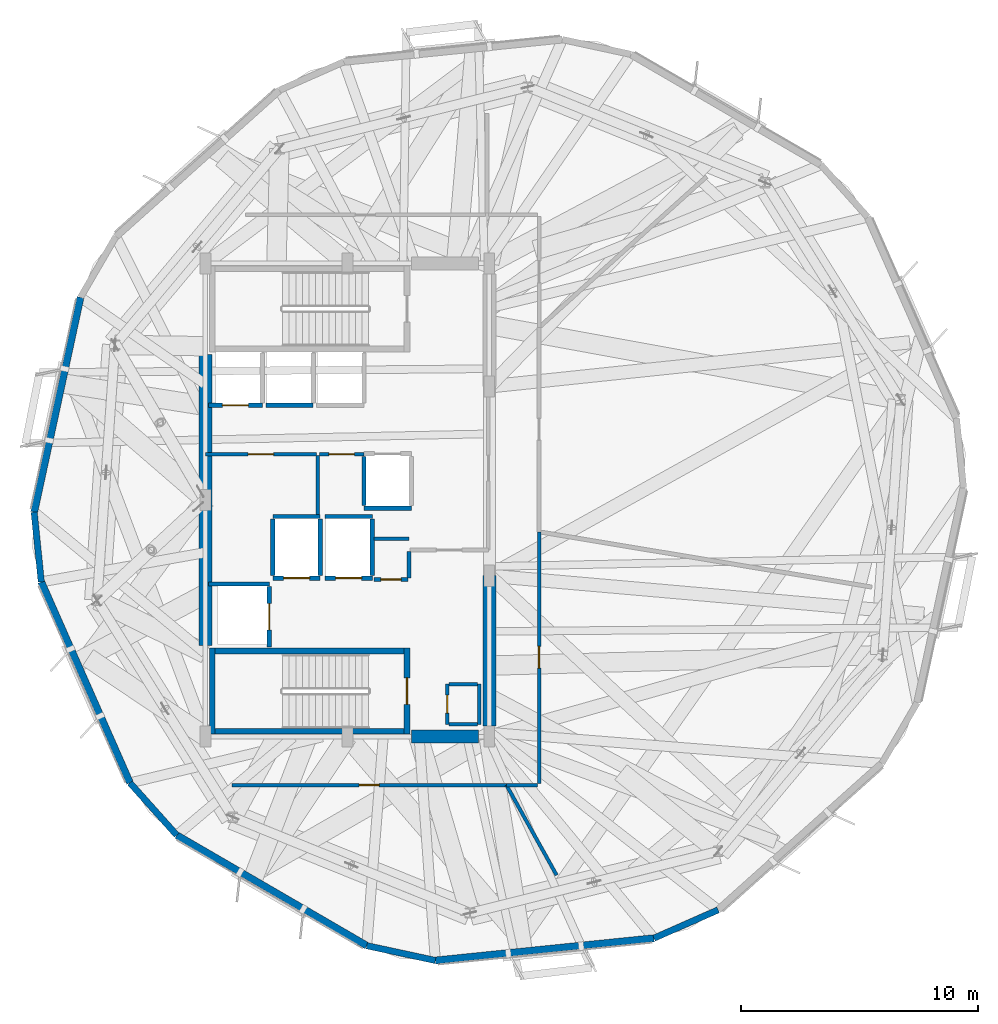
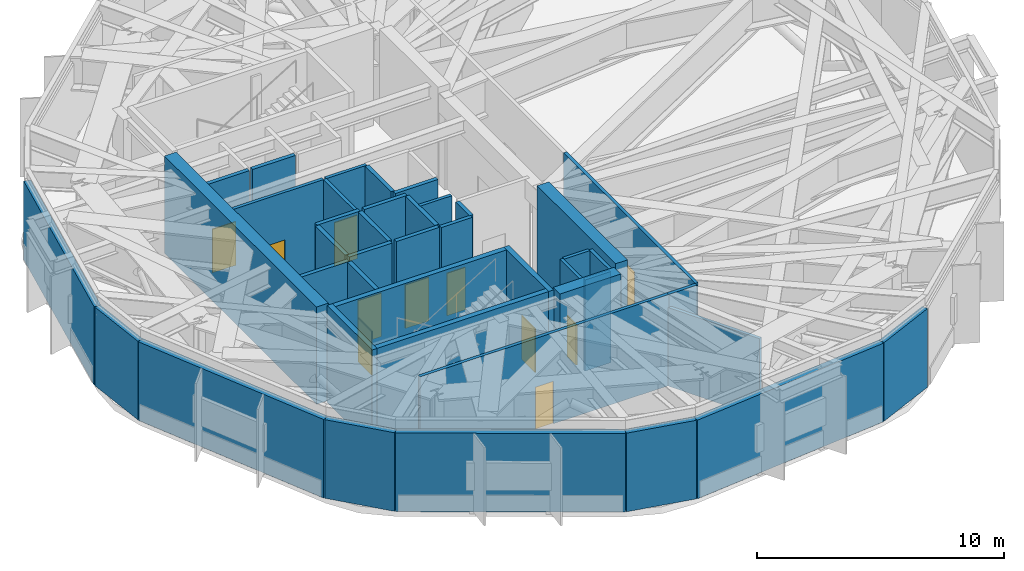
# One storey, part 8 of 14: 42 walls, 11 doors, 11 openings.
"""IFC4 building model written with IfcOpenShell, lengths in metres."""

from ifc_helpers import new_model, si_unit, direction, frame, frame_2d, origin, place, context, subcontext, project, spatial, rectangle, extrude, material, layer, layer_set, type_object, element, fill, save


model = new_model("IFC4")

# Units and contexts
model_context = context("Model", 3, precision=1e-05, world=origin(), true_north=direction((0.0, 1.0)))
body_context = subcontext(model_context, "Body", "Model", "MODEL_VIEW")
ifc_project = project(units=[si_unit("LENGTHUNIT", "METRE"), si_unit("AREAUNIT", "SQUARE_METRE"), si_unit("VOLUMEUNIT", "CUBIC_METRE"), si_unit("PLANEANGLEUNIT", "RADIAN"), si_unit("MASSUNIT", "GRAM", prefix="KILO")], contexts=[model_context])

# Site, building, storey
site_placement = place(None, origin())
site = spatial("IfcSite", under=ifc_project, at=site_placement, CompositionType="ELEMENT")
building_placement = place(site_placement, origin())
building = spatial("IfcBuilding", under=site, at=building_placement, Name="Soratama Intermodal Tower", CompositionType="ELEMENT")
storey_placement = place(building_placement, frame((0.0, 0.0, 185.800048828125)))
storey = spatial("IfcBuildingStorey", under=building, at=storey_placement, Name="L46", CompositionType="ELEMENT", Elevation=185.800048828125)

# Walls
ifc_material_1 = material(Name="Concrete f'c 42 MPa", Category="concrete")
ifc_layer_1 = layer(ifc_material_1, 0.27001953125)
ifc_layer_set_1 = layer_set([ifc_layer_1], Name="Concrete f'c 42 MPa")
wall_type_1 = type_object("IfcWallType", Name="EW-CRN-270", PredefinedType="SOLIDWALL", material=ifc_layer_set_1)
wall_1_placement = place(storey_placement, frame((25.3583984375, 24.489013671875, 0.0), z_axis=(0.0, 0.0, 1.0), x_axis=(0.101385701308, -0.994847194081, 0.0)))
element("IfcWall", 1, at=wall_1_placement, inside=storey, type_object=wall_type_1, Name="L46 Corner Closure Wall 04", PredefinedType="SOLIDWALL", context=body_context, shape_type="SweptSolid", body=[
    extrude(rectangle(XDim=2.966796875, YDim=0.27001953125, at=frame_2d((1.4833984375, 0.0))), origin(), (0.0, 0.0, 1.0), 3.87890625),
])
wall_2_placement = place(storey_placement, frame((29.41015625, 13.04150390625, 0.0), z_axis=(0.0, 0.0, 1.0), x_axis=(0.666802076596, -0.745234856033, 0.0)))
element("IfcWall", 2, at=wall_2_placement, inside=storey, type_object=wall_type_1, Name="L46 Corner Closure Wall 05", PredefinedType="SOLIDWALL", context=body_context, shape_type="SweptSolid", body=[
    extrude(rectangle(XDim=2.966552734375, YDim=0.27001953125, at=frame_2d((1.4833984375, 0.0))), origin(), (0.0, 0.0, 1.0), 3.87890625),
])
wall_3_placement = place(storey_placement, frame((39.41650390625, 6.161865234375, 0.0), z_axis=(0.0, 0.0, 1.0), x_axis=(0.977485778923, -0.211001308062, 0.0)))
element("IfcWall", 3, at=wall_3_placement, inside=storey, type_object=wall_type_1, Name="L46 Corner Closure Wall 06", PredefinedType="SOLIDWALL", context=body_context, shape_type="SweptSolid", body=[
    extrude(rectangle(XDim=2.966796875, YDim=0.27001953125, at=frame_2d((1.4833984375, 0.0))), origin(), (0.0, 0.0, 1.0), 3.87890625),
])
wall_4_placement = place(storey_placement, frame((51.5556640625, 6.477783203125, 0.0), z_axis=(0.0, 0.0, 1.0), x_axis=(0.914830177707, 0.403838762325, 0.0)))
element("IfcWall", 4, at=wall_4_placement, inside=storey, type_object=wall_type_1, Name="L46 Corner Closure Wall 07", PredefinedType="SOLIDWALL", context=body_context, shape_type="SweptSolid", body=[
    extrude(rectangle(XDim=2.966552734375, YDim=0.27001953125, at=frame_2d((1.4833984375, 0.0))), origin(), (0.0, 0.0, 1.0), 3.87890625),
])
ifc_material_2 = material(Name="Concrete f'c 42 MPa", Category="concrete")
ifc_layer_2 = layer(ifc_material_2, 0.300048828125)
ifc_layer_set_2 = layer_set([ifc_layer_2], Name="Concrete f'c 42 MPa")
wall_type_2 = type_object("IfcWallType", Name="EW-STONE-300", PredefinedType="SOLIDWALL", material=ifc_layer_set_2)
for number, where, z_axis, x_axis, name in (
    (5, (27.318115234375, 33.567138671875, 0.0), (0.0, 0.0, 1.0), (-0.211011733092, -0.977483528504, 0.0), "L46 Plant Wall F04"),
    (6, (25.6591796875, 21.53759765625, 0.0), (0.0, 0.0, 1.0), (0.403883538706, -0.914810410502, 0.0), "L46 Plant Wall F05"),
    (7, (31.38818359375, 10.830810546875, 0.0), (0.0, 0.0, 1.0), (0.864445551727, -0.502726454544, 0.0), "L46 Plant Wall F06"),
):
    element("IfcWall", number, at=place(storey_placement, frame(where, z_axis=z_axis, x_axis=x_axis)), inside=storey, type_object=wall_type_2, Name=name, PredefinedType="SOLIDWALL", context=body_context, shape_type="SweptSolid", body=[
        extrude(rectangle(XDim=9.287353515625, YDim=0.300048828125, at=frame_2d((4.6435546875, 0.0))), origin(), (0.0, 0.0, 1.0), 3.87890625),
    ])
wall_5_placement = place(storey_placement, frame((42.31640625, 5.535888671875, 0.0), z_axis=(0.0, 0.0, 1.0), x_axis=(0.994843782039, 0.101419176385, 0.0)))
element("IfcWall", 8, at=wall_5_placement, inside=storey, type_object=wall_type_2, Name="L46 Plant Wall F07", PredefinedType="SOLIDWALL", context=body_context, shape_type="SweptSolid", body=[
    extrude(rectangle(XDim=9.287109375, YDim=0.300048828125, at=frame_2d((4.6435546875, 0.0))), origin(), (0.0, 0.0, 1.0), 3.87890625),
])
ifc_material_3 = material(Name="Fire-rated gypsum stud partition", Category="concrete")
ifc_layer_3 = layer(ifc_material_3, 0.14990234375)
ifc_layer_set_3 = layer_set([ifc_layer_3], Name="Fire-rated gypsum stud partition")
wall_type_3 = type_object("IfcWallType", Name="IW-PART-R150", PredefinedType="PARTITIONING", material=ifc_layer_set_3)
for number, where, z_axis, x_axis, name in (
    (9, (42.89990234375, 15.52001953125, 0.0), (0.0, 0.0, 1.0), (1.0, 0.0, 0.0), "L46 Riser Wall S"),
    (10, (42.89990234375, 17.219970703125, 0.0), (0.0, 0.0, 1.0), (1.0, 0.0, 0.0), "L46 Riser Wall N"),
):
    element("IfcWall", number, at=place(storey_placement, frame(where, z_axis=z_axis, x_axis=x_axis)), inside=storey, type_object=wall_type_3, Name=name, PredefinedType="PARTITIONING", context=body_context, shape_type="SweptSolid", body=[
        extrude(rectangle(XDim=1.2001953125, YDim=0.14990234375, at=frame_2d((0.60009765625, 0.0))), origin(), (0.0, 0.0, 1.0), 4.5),
    ])
wall_6_placement = place(storey_placement, frame((44.179931640625, 15.52001953125, 0.0), z_axis=(0.0, 0.0, 1.0), x_axis=(0.0, 1.0, 0.0)))
element("IfcWall", 11, at=wall_6_placement, inside=storey, type_object=wall_type_3, Name="L46 Riser Wall E", PredefinedType="PARTITIONING", context=body_context, shape_type="SweptSolid", body=[
    extrude(rectangle(XDim=1.699951171875, YDim=0.14990234375, at=frame_2d((0.85009765625, 0.0))), origin(), (0.0, 0.0, 1.0), 4.5),
])

# Wall, opening, door
wall_7_placement = place(storey_placement, frame((42.820068359375, 15.52001953125, 0.0), z_axis=(0.0, 0.0, 1.0), x_axis=(0.0, 1.0, 0.0)))
wall_7 = element("IfcWall", 12, at=wall_7_placement, inside=storey, type_object=wall_type_3, Name="L46 Riser Front Wall", PredefinedType="PARTITIONING", context=body_context, shape_type="SweptSolid", body=[
    extrude(rectangle(XDim=1.699951171875, YDim=0.14990234375, at=frame_2d((0.85009765625, 0.0))), origin(), (0.0, 0.0, 1.0), 4.5),
])
opening_1_placement = place(wall_7_placement, frame((0.469970703125, 0.0, 0.0)))
opening_1 = element("IfcOpeningElement", 13, at=opening_1_placement, cuts=wall_7, Name="Opening TD-1", PredefinedType="OPENING", context=body_context, shape_type="SweptSolid", body=[
    extrude(rectangle(XDim=0.760009765625, YDim=2.0, at=frame_2d((0.3798828125, 1.0))), frame((0.0, 0.0849609375, 0.0), z_axis=(0.0, -1.0, 0.0), x_axis=(1.0, 0.0, 0.0)), (0.0, 0.0, 1.0), 0.169921875),
])
ifc_material_4 = material(Name="Steel fire door", Category="steel")
door_type_1 = type_object("IfcDoorType", Name="DR-RISER-TRAP", OperationType="NOTDEFINED", PredefinedType="TRAPDOOR", material=ifc_material_4)
door_1_placement = place(opening_1_placement, origin())
door_1 = element("IfcDoor", 14, at=door_1_placement, inside=storey, type_object=door_type_1, Name="L46 Riser Inspection Door", OperationType="SINGLE_SWING_LEFT", OverallHeight=2.0, OverallWidth=0.760009765625, PredefinedType="TRAPDOOR", context=body_context, shape_type="SweptSolid", body=[
    extrude(rectangle(XDim=0.760009765625, YDim=2.0, at=frame_2d((0.3798828125, 1.0))), frame((0.0, 0.02490234375, 0.0), z_axis=(0.0, -1.0, 0.0), x_axis=(1.0, 0.0, 0.0)), (0.0, 0.0, 1.0), 0.050048828125),
])
fill(opening_1, door_1)

wall_8_placement = place(storey_placement, frame((46.699951171875, 23.654052734375, 0.0), z_axis=(0.0, 0.0, 1.0), x_axis=(0.0, -1.0, 0.0)))
wall_8 = element("IfcWall", 15, at=wall_8_placement, inside=storey, type_object=wall_type_3, Name="L46 Partition W-L46-TP001", PredefinedType="PARTITIONING", context=body_context, shape_type="SweptSolid", body=[
    extrude(rectangle(XDim=10.634033203125, YDim=0.14990234375, at=frame_2d((5.31689453125, 0.0))), origin(), (0.0, 0.0, 1.0), 4.5),
])
opening_2_placement = place(wall_8_placement, frame((4.842041015625, 0.0, 0.0)))
opening_2 = element("IfcOpeningElement", 16, at=opening_2_placement, cuts=wall_8, Name="Opening ID-6", PredefinedType="OPENING", context=body_context, shape_type="SweptSolid", body=[
    extrude(rectangle(XDim=0.919921875, YDim=2.1201171875, at=frame_2d((0.4599609375, 1.06005859375))), frame((0.0, 0.0849609375, 0.0), z_axis=(0.0, -1.0, 0.0), x_axis=(1.0, 0.0, 0.0)), (0.0, 0.0, 1.0), 0.169921875),
])
ifc_material_5 = material(Name="Solid hardwood acoustic door", Category="wood")
door_type_2 = type_object("IfcDoorType", Name="DR-ROOM-920", OperationType="NOTDEFINED", PredefinedType="DOOR", material=ifc_material_5)
door_2_placement = place(opening_2_placement, origin())
door_2 = element("IfcDoor", 17, at=door_2_placement, inside=storey, type_object=door_type_2, Name="L46 Door D-L46-TP001", OperationType="SINGLE_SWING_RIGHT", OverallHeight=2.1201171875, OverallWidth=0.919921875, PredefinedType="DOOR", context=body_context, shape_type="SweptSolid", body=[
    extrude(rectangle(XDim=0.919921875, YDim=2.1201171875, at=frame_2d((0.4599609375, 1.06005859375))), frame((0.0, 0.02490234375, 0.0), z_axis=(0.0, -1.0, 0.0), x_axis=(1.0, 0.0, 0.0)), (0.0, 0.0, 1.0), 0.050048828125),
])
fill(opening_2, door_2)

wall_9_placement = place(storey_placement, frame((37.2900390625, 26.93994140625, 0.0), z_axis=(0.0, 0.0, 1.0), x_axis=(-1.0, 0.0, 0.0)))
wall_9 = element("IfcWall", 18, at=wall_9_placement, inside=storey, type_object=wall_type_3, Name="L46 Partition W-L46-TP004", PredefinedType="PARTITIONING", context=body_context, shape_type="SweptSolid", body=[
    extrude(rectangle(XDim=4.68994140625, YDim=0.14990234375, at=frame_2d((2.344970703125, 0.0))), origin(), (0.0, 0.0, 1.0), 4.5),
])
opening_3_placement = place(wall_9_placement, frame((1.804931640625, 0.0, 0.0)))
opening_3 = element("IfcOpeningElement", 19, at=opening_3_placement, cuts=wall_9, Name="Opening ID-1", PredefinedType="OPENING", context=body_context, shape_type="SweptSolid", body=[
    extrude(rectangle(XDim=1.080078125, YDim=2.14990234375, at=frame_2d((0.5400390625, 1.074951171875))), frame((0.0, 0.0849609375, 0.0), z_axis=(0.0, -1.0, 0.0), x_axis=(1.0, 0.0, 0.0)), (0.0, 0.0, 1.0), 0.169921875),
])
ifc_material_6 = material(Name="Solid hardwood acoustic door", Category="wood")
door_type_3 = type_object("IfcDoorType", Name="DR-LOB-FD60", OperationType="NOTDEFINED", PredefinedType="DOOR", material=ifc_material_6)
door_3_placement = place(opening_3_placement, origin())
door_3 = element("IfcDoor", 20, at=door_3_placement, inside=storey, type_object=door_type_3, Name="L46 Door D-L46-TP004", OperationType="SINGLE_SWING_LEFT", OverallHeight=2.14990234375, OverallWidth=1.080078125, PredefinedType="DOOR", context=body_context, shape_type="SweptSolid", body=[
    extrude(rectangle(XDim=1.080078125, YDim=2.14990234375, at=frame_2d((0.5400390625, 1.074951171875))), frame((0.0, 0.02490234375, 0.0), z_axis=(0.0, -1.0, 0.0), x_axis=(1.0, 0.0, 0.0)), (0.0, 0.0, 1.0), 0.050048828125),
])
fill(opening_3, door_3)

# Wall
wall_10_placement = place(storey_placement, frame((37.35009765625, 26.8798828125, 0.0), z_axis=(0.0, 0.0, 1.0), x_axis=(0.0, -1.0, 0.0)))
element("IfcWall", 21, at=wall_10_placement, inside=storey, type_object=wall_type_3, Name="L46 Partition W-L46-TP007", PredefinedType="PARTITIONING", context=body_context, shape_type="SweptSolid", body=[
    extrude(rectangle(XDim=2.579833984375, YDim=0.14990234375, at=frame_2d((1.2900390625, 0.0))), origin(), (0.0, 0.0, 1.0), 4.5),
])

# Wall, opening, door
wall_11_placement = place(storey_placement, frame((39.300048828125, 26.93994140625, 0.0), z_axis=(0.0, 0.0, 1.0), x_axis=(-1.0, 0.0, 0.0)))
wall_11 = element("IfcWall", 22, at=wall_11_placement, inside=storey, type_object=wall_type_3, Name="L46 Partition W-L46-TP009", PredefinedType="PARTITIONING", context=body_context, shape_type="SweptSolid", body=[
    extrude(rectangle(XDim=1.89013671875, YDim=0.14990234375, at=frame_2d((0.945068359375, 0.0))), origin(), (0.0, 0.0, 1.0), 4.5),
])
opening_4_placement = place(wall_11_placement, frame((0.405029296875, 0.0, 0.0)))
opening_4 = element("IfcOpeningElement", 23, at=opening_4_placement, cuts=wall_11, Name="Opening ID-1", PredefinedType="OPENING", context=body_context, shape_type="SweptSolid", body=[
    extrude(rectangle(XDim=1.080078125, YDim=2.14990234375, at=frame_2d((0.5400390625, 1.074951171875))), frame((0.0, 0.0849609375, 0.0), z_axis=(0.0, -1.0, 0.0), x_axis=(1.0, 0.0, 0.0)), (0.0, 0.0, 1.0), 0.169921875),
])
door_4_placement = place(opening_4_placement, origin())
door_4 = element("IfcDoor", 24, at=door_4_placement, inside=storey, type_object=door_type_3, Name="L46 Door D-L46-TP007", OperationType="SINGLE_SWING_RIGHT", OverallHeight=2.14990234375, OverallWidth=1.080078125, PredefinedType="DOOR", context=body_context, shape_type="SweptSolid", body=[
    extrude(rectangle(XDim=1.080078125, YDim=2.14990234375, at=frame_2d((0.5400390625, 1.074951171875))), frame((0.0, 0.02490234375, 0.0), z_axis=(0.0, -1.0, 0.0), x_axis=(1.0, 0.0, 0.0)), (0.0, 0.0, 1.0), 0.050048828125),
])
fill(opening_4, door_4)

# Wall
wall_12_placement = place(storey_placement, frame((46.6298828125, 12.949951171875, 0.0), z_axis=(0.0, 0.0, 1.0), x_axis=(-1.0, 0.0, 0.0)))
element("IfcWall", 25, at=wall_12_placement, inside=storey, type_object=wall_type_3, Name="L46 Partition W-L46-TP011", PredefinedType="PARTITIONING", context=body_context, shape_type="SweptSolid", body=[
    extrude(rectangle(XDim=1.310791015625, YDim=0.14990234375, at=frame_2d((0.6552734375, 0.0))), origin(), (0.0, 0.0, 1.0), 4.5),
])

# Wall, opening, door
wall_13_placement = place(storey_placement, frame((45.319091796875, 12.949951171875, 0.0), z_axis=(0.0, 0.0, 1.0), x_axis=(-1.0, 0.0, 0.0)))
wall_13 = element("IfcWall", 26, at=wall_13_placement, inside=storey, type_object=wall_type_3, Name="L46 Partition W-L46-TP014", PredefinedType="PARTITIONING", context=body_context, shape_type="SweptSolid", body=[
    extrude(rectangle(XDim=11.60498046875, YDim=0.14990234375, at=frame_2d((5.802490234375, 0.0))), origin(), (0.0, 0.0, 1.0), 4.5),
])
opening_5_placement = place(wall_13_placement, frame((5.3779296875, 0.0, 0.0)))
opening_5 = element("IfcOpeningElement", 27, at=opening_5_placement, cuts=wall_13, Name="Opening ID-4", PredefinedType="OPENING", context=body_context, shape_type="SweptSolid", body=[
    extrude(rectangle(XDim=0.85009765625, YDim=2.10009765625, at=frame_2d((0.425048828125, 1.050048828125))), frame((0.0, 0.0849609375, 0.0), z_axis=(0.0, -1.0, 0.0), x_axis=(1.0, 0.0, 0.0)), (0.0, 0.0, 1.0), 0.169921875),
])
ifc_material_7 = material(Name="Solid hardwood acoustic door", Category="wood")
door_type_4 = type_object("IfcDoorType", Name="DR-BATH-850", OperationType="NOTDEFINED", PredefinedType="DOOR", material=ifc_material_7)
door_5_placement = place(opening_5_placement, origin())
door_5 = element("IfcDoor", 28, at=door_5_placement, inside=storey, type_object=door_type_4, Name="L46 Door D-L46-TP010", OperationType="SINGLE_SWING_LEFT", OverallHeight=2.10009765625, OverallWidth=0.85009765625, PredefinedType="DOOR", context=body_context, shape_type="SweptSolid", body=[
    extrude(rectangle(XDim=0.85009765625, YDim=2.10009765625, at=frame_2d((0.425048828125, 1.050048828125))), frame((0.0, 0.02490234375, 0.0), z_axis=(0.0, -1.0, 0.0), x_axis=(1.0, 0.0, 0.0)), (0.0, 0.0, 1.0), 0.050048828125),
])
fill(opening_5, door_5)

# Walls
wall_14_placement = place(storey_placement, frame((47.44091796875, 9.14404296875, 0.0), z_axis=(0.0, 0.0, 1.0), x_axis=(-0.48694585255, 0.873432159177, 0.0)))
element("IfcWall", 29, at=wall_14_placement, inside=storey, type_object=wall_type_3, Name="L46 Partition W-L46-TP017", PredefinedType="PARTITIONING", context=body_context, shape_type="SweptSolid", body=[
    extrude(rectangle(XDim=4.357421875, YDim=0.14990234375, at=frame_2d((2.1787109375, 0.0))), origin(), (0.0, 0.0, 1.0), 3.8740234375),
])
wall_15_placement = place(storey_placement, frame((41.199951171875, 23.360107421875, 0.0), z_axis=(0.0, 0.0, 1.0), x_axis=(-1.0, 0.0, 0.0)))
element("IfcWall", 30, at=wall_15_placement, inside=storey, type_object=wall_type_3, Name="L46 Partition W-L46-TP019", PredefinedType="PARTITIONING", context=body_context, shape_type="SweptSolid", body=[
    extrude(rectangle(XDim=1.47998046875, YDim=0.14990234375, at=frame_2d((0.739990234375, 0.0))), origin(), (0.0, 0.0, 1.0), 4.5),
])

# Wall, opening, door
ifc_material_8 = material(Name="Fire-rated gypsum stud partition", Category="concrete")
ifc_layer_4 = layer(ifc_material_8, 0.169921875)
ifc_layer_set_4 = layer_set([ifc_layer_4], Name="Fire-rated gypsum stud partition")
wall_type_4 = type_object("IfcWallType", Name="IW-PART-R170", PredefinedType="PARTITIONING", material=ifc_layer_set_4)
wall_16_placement = place(storey_placement, frame((39.719970703125, 21.639892578125, 0.0), z_axis=(0.0, 0.0, 1.0), x_axis=(1.0, 0.0, 0.0)))
wall_16 = element("IfcWall", 31, at=wall_16_placement, inside=storey, type_object=wall_type_4, Name="L46 Partition W-L46-TP010", PredefinedType="PARTITIONING", context=body_context, shape_type="SweptSolid", body=[
    extrude(rectangle(XDim=1.43994140625, YDim=0.169921875, at=frame_2d((0.719970703125, 0.0))), origin(), (0.0, 0.0, 1.0), 4.5),
])
opening_6_placement = place(wall_16_placement, frame((0.294921875, 0.0, 0.0)))
opening_6 = element("IfcOpeningElement", 32, at=opening_6_placement, cuts=wall_16, Name="Opening ID-4", PredefinedType="OPENING", context=body_context, shape_type="SweptSolid", body=[
    extrude(rectangle(XDim=0.85009765625, YDim=2.10009765625, at=frame_2d((0.425048828125, 1.050048828125))), frame((0.0, 0.094970703125, 0.0), z_axis=(0.0, -1.0, 0.0), x_axis=(1.0, 0.0, 0.0)), (0.0, 0.0, 1.0), 0.18994140625),
])
door_6_placement = place(opening_6_placement, origin())
door_6 = element("IfcDoor", 33, at=door_6_placement, inside=storey, type_object=door_type_4, Name="L46 Door D-L46-TP008", OperationType="SINGLE_SWING_LEFT", OverallHeight=2.10009765625, OverallWidth=0.85009765625, PredefinedType="DOOR", context=body_context, shape_type="SweptSolid", body=[
    extrude(rectangle(XDim=0.85009765625, YDim=2.10009765625, at=frame_2d((0.425048828125, 1.050048828125))), frame((0.0, 0.02490234375, 0.0), z_axis=(0.0, -1.0, 0.0), x_axis=(1.0, 0.0, 0.0)), (0.0, 0.0, 1.0), 0.050048828125),
])
fill(opening_6, door_6)

# Wall
wall_17_placement = place(storey_placement, frame((41.199951171875, 21.699951171875, 0.0), z_axis=(0.0, 0.0, 1.0), x_axis=(0.0, 1.0, 0.0)))
element("IfcWall", 34, at=wall_17_placement, inside=storey, type_object=wall_type_4, Name="L46 Partition W-L46-TP012", PredefinedType="PARTITIONING", context=body_context, shape_type="SweptSolid", body=[
    extrude(rectangle(XDim=1.1201171875, YDim=0.169921875, at=frame_2d((0.56005859375, 0.0))), origin(), (0.0, 0.0, 1.0), 4.5),
])

# Wall, opening, door
ifc_material_9 = material(Name="Concrete f'c 42 MPa", Category="concrete")
ifc_layer_5 = layer(ifc_material_9, 0.18505859375)
ifc_layer_set_5 = layer_set([ifc_layer_5], Name="Concrete f'c 42 MPa")
wall_type_5 = type_object("IfcWallType", Name="IW-SHAFT-185", PredefinedType="SOLIDWALL", material=ifc_layer_set_5)
wall_18_placement = place(storey_placement, frame((35.449951171875, 21.699951171875, 0.0), z_axis=(0.0, 0.0, 1.0), x_axis=(1.0, 0.0, 0.0)))
wall_18 = element("IfcWall", 35, at=wall_18_placement, inside=storey, type_object=wall_type_5, Name="L46 FFL-1 Hoistway Wall S", PredefinedType="SOLIDWALL", context=body_context, shape_type="SweptSolid", body=[
    extrude(rectangle(XDim=2.0, YDim=0.18505859375, at=frame_2d((1.0, 0.0))), origin(), (0.0, 0.0, 1.0), 4.5),
])
opening_7_placement = place(wall_18_placement, frame((0.449951171875, 0.0, 0.0)))
opening_7 = element("IfcOpeningElement", 36, at=opening_7_placement, cuts=wall_18, Name="Opening LD-1", PredefinedType="OPENING", context=body_context, shape_type="SweptSolid", body=[
    extrude(rectangle(XDim=1.10009765625, YDim=2.14990234375, at=frame_2d((0.550048828125, 1.074951171875))), frame((0.0, 0.1025390625, 0.0), z_axis=(0.0, -1.0, 0.0), x_axis=(1.0, 0.0, 0.0)), (0.0, 0.0, 1.0), 0.205078125),
])
ifc_material_10 = material(Name="Steel fire door", Category="steel")
door_type_5 = type_object("IfcDoorType", Name="DR-LIFT-SLIDE", OperationType="NOTDEFINED", PredefinedType="DOOR", material=ifc_material_10)
door_7_placement = place(opening_7_placement, origin())
door_7 = element("IfcDoor", 37, at=door_7_placement, inside=storey, type_object=door_type_5, Name="L46 FFL-1 Sliding Landing Door", OperationType="SLIDING_TO_LEFT", OverallHeight=2.14990234375, OverallWidth=1.10009765625, PredefinedType="DOOR", context=body_context, shape_type="SweptSolid", body=[
    extrude(rectangle(XDim=1.10009765625, YDim=2.14990234375, at=frame_2d((0.550048828125, 1.074951171875))), frame((0.0, 0.02490234375, 0.0), z_axis=(0.0, -1.0, 0.0), x_axis=(1.0, 0.0, 0.0)), (0.0, 0.0, 1.0), 0.050048828125),
])
fill(opening_7, door_7)

# Walls
wall_19_placement = place(storey_placement, frame((35.449951171875, 24.300048828125, 0.0), z_axis=(0.0, 0.0, 1.0), x_axis=(1.0, 0.0, 0.0)))
element("IfcWall", 38, at=wall_19_placement, inside=storey, type_object=wall_type_5, Name="L46 FFL-1 Hoistway Wall N", PredefinedType="SOLIDWALL", context=body_context, shape_type="SweptSolid", body=[
    extrude(rectangle(XDim=2.0, YDim=0.18505859375, at=frame_2d((1.0, 0.0))), origin(), (0.0, 0.0, 1.0), 4.5),
])
for number, where, z_axis, x_axis, name in (
    (39, (35.449951171875, 21.81005859375, 0.0), (0.0, 0.0, 1.0), (0.0, 1.0, 0.0), "L46 FFL-1 Hoistway Wall W"),
    (40, (37.449951171875, 21.81005859375, 0.0), (0.0, 0.0, 1.0), (0.0, 1.0, 0.0), "L46 FFL-1 Hoistway Wall E"),
):
    element("IfcWall", number, at=place(storey_placement, frame(where, z_axis=z_axis, x_axis=x_axis)), inside=storey, type_object=wall_type_5, Name=name, PredefinedType="SOLIDWALL", context=body_context, shape_type="SweptSolid", body=[
        extrude(rectangle(XDim=2.3798828125, YDim=0.18505859375, at=frame_2d((1.18994140625, 0.0))), origin(), (0.0, 0.0, 1.0), 4.5),
    ])

# Wall, opening, door
wall_20_placement = place(storey_placement, frame((37.64990234375, 21.699951171875, 0.0), z_axis=(0.0, 0.0, 1.0), x_axis=(1.0, 0.0, 0.0)))
wall_20 = element("IfcWall", 41, at=wall_20_placement, inside=storey, type_object=wall_type_5, Name="L46 FFL-2 Hoistway Wall S", PredefinedType="SOLIDWALL", context=body_context, shape_type="SweptSolid", body=[
    extrude(rectangle(XDim=2.0, YDim=0.18505859375, at=frame_2d((1.0, 0.0))), origin(), (0.0, 0.0, 1.0), 4.5),
])
opening_8_placement = place(wall_20_placement, frame((0.449951171875, 0.0, 0.0)))
opening_8 = element("IfcOpeningElement", 42, at=opening_8_placement, cuts=wall_20, Name="Opening LD-1", PredefinedType="OPENING", context=body_context, shape_type="SweptSolid", body=[
    extrude(rectangle(XDim=1.10009765625, YDim=2.14990234375, at=frame_2d((0.550048828125, 1.074951171875))), frame((0.0, 0.1025390625, 0.0), z_axis=(0.0, -1.0, 0.0), x_axis=(1.0, 0.0, 0.0)), (0.0, 0.0, 1.0), 0.205078125),
])
door_8_placement = place(opening_8_placement, origin())
door_8 = element("IfcDoor", 43, at=door_8_placement, inside=storey, type_object=door_type_5, Name="L46 FFL-2 Sliding Landing Door", OperationType="SLIDING_TO_LEFT", OverallHeight=2.14990234375, OverallWidth=1.10009765625, PredefinedType="DOOR", context=body_context, shape_type="SweptSolid", body=[
    extrude(rectangle(XDim=1.10009765625, YDim=2.14990234375, at=frame_2d((0.550048828125, 1.074951171875))), frame((0.0, 0.02490234375, 0.0), z_axis=(0.0, -1.0, 0.0), x_axis=(1.0, 0.0, 0.0)), (0.0, 0.0, 1.0), 0.050048828125),
])
fill(opening_8, door_8)

# Walls
wall_21_placement = place(storey_placement, frame((37.64990234375, 24.300048828125, 0.0), z_axis=(0.0, 0.0, 1.0), x_axis=(1.0, 0.0, 0.0)))
element("IfcWall", 44, at=wall_21_placement, inside=storey, type_object=wall_type_5, Name="L46 FFL-2 Hoistway Wall N", PredefinedType="SOLIDWALL", context=body_context, shape_type="SweptSolid", body=[
    extrude(rectangle(XDim=2.0, YDim=0.18505859375, at=frame_2d((1.0, 0.0))), origin(), (0.0, 0.0, 1.0), 4.5),
])
wall_22_placement = place(storey_placement, frame((39.64990234375, 21.81005859375, 0.0), z_axis=(0.0, 0.0, 1.0), x_axis=(0.0, 1.0, 0.0)))
element("IfcWall", 45, at=wall_22_placement, inside=storey, type_object=wall_type_5, Name="L46 FFL-2 Hoistway Wall E", PredefinedType="SOLIDWALL", context=body_context, shape_type="SweptSolid", body=[
    extrude(rectangle(XDim=2.3798828125, YDim=0.18505859375, at=frame_2d((1.18994140625, 0.0))), origin(), (0.0, 0.0, 1.0), 4.5),
])
wall_23_placement = place(storey_placement, frame((32.719970703125, 21.449951171875, 0.0), z_axis=(0.0, 0.0, 1.0), x_axis=(1.0, 0.0, 0.0)))
element("IfcWall", 46, at=wall_23_placement, inside=storey, type_object=wall_type_5, Name="L46 SVL-1 Hoistway Wall N", PredefinedType="SOLIDWALL", context=body_context, shape_type="SweptSolid", body=[
    extrude(rectangle(XDim=2.580078125, YDim=0.18505859375, at=frame_2d((1.2900390625, 0.0))), origin(), (0.0, 0.0, 1.0), 4.5),
])

# Wall, opening, door
wall_24_placement = place(storey_placement, frame((35.300048828125, 18.7900390625, 0.0), z_axis=(0.0, 0.0, 1.0), x_axis=(0.0, 1.0, 0.0)))
wall_24 = element("IfcWall", 47, at=wall_24_placement, inside=storey, type_object=wall_type_5, Name="L46 SVL-1 Hoistway Wall E", PredefinedType="SOLIDWALL", context=body_context, shape_type="SweptSolid", body=[
    extrude(rectangle(XDim=2.550048828125, YDim=0.18505859375, at=frame_2d((1.27490234375, 0.0))), origin(), (0.0, 0.0, 1.0), 4.5),
])
opening_9_placement = place(wall_24_placement, frame((0.72509765625, 0.0, 0.0)))
opening_9 = element("IfcOpeningElement", 48, at=opening_9_placement, cuts=wall_24, Name="Opening LD-1", PredefinedType="OPENING", context=body_context, shape_type="SweptSolid", body=[
    extrude(rectangle(XDim=1.10009765625, YDim=2.14990234375, at=frame_2d((0.550048828125, 1.074951171875))), frame((0.0, 0.1025390625, 0.0), z_axis=(0.0, -1.0, 0.0), x_axis=(1.0, 0.0, 0.0)), (0.0, 0.0, 1.0), 0.205078125),
])
door_9_placement = place(opening_9_placement, origin())
door_9 = element("IfcDoor", 49, at=door_9_placement, inside=storey, type_object=door_type_5, Name="L46 SVL-1 Sliding Landing Door", OperationType="SLIDING_TO_LEFT", OverallHeight=2.14990234375, OverallWidth=1.10009765625, PredefinedType="DOOR", context=body_context, shape_type="SweptSolid", body=[
    extrude(rectangle(XDim=1.10009765625, YDim=2.14990234375, at=frame_2d((0.550048828125, 1.074951171875))), frame((0.0, 0.02490234375, 0.0), z_axis=(0.0, -1.0, 0.0), x_axis=(1.0, 0.0, 0.0)), (0.0, 0.0, 1.0), 0.050048828125),
])
fill(opening_9, door_9)

# Walls
wall_25_placement = place(storey_placement, frame((39.300048828125, 24.64990234375, 0.0), z_axis=(0.0, 0.0, 1.0), x_axis=(1.0, 0.0, 0.0)))
element("IfcWall", 50, at=wall_25_placement, inside=storey, type_object=wall_type_5, Name="L46 PL-M1 Hoistway Wall S", PredefinedType="SOLIDWALL", context=body_context, shape_type="SweptSolid", body=[
    extrude(rectangle(XDim=2.0, YDim=0.18505859375, at=frame_2d((1.0, 0.0))), origin(), (0.0, 0.0, 1.0), 4.5),
])
wall_26_placement = place(storey_placement, frame((39.300048828125, 24.760009765625, 0.0), z_axis=(0.0, 0.0, 1.0), x_axis=(0.0, 1.0, 0.0)))
element("IfcWall", 51, at=wall_26_placement, inside=storey, type_object=wall_type_5, Name="L46 PL-M1 Hoistway Wall W", PredefinedType="SOLIDWALL", context=body_context, shape_type="SweptSolid", body=[
    extrude(rectangle(XDim=2.080078125, YDim=0.18505859375, at=frame_2d((1.0400390625, 0.0))), origin(), (0.0, 0.0, 1.0), 4.5),
])

# Wall, opening, door
wall_27_placement = place(storey_placement, frame((32.719970703125, 29.0, 0.0), z_axis=(0.0, 0.0, 1.0), x_axis=(1.0, 0.0, 0.0)))
wall_27 = element("IfcWall", 52, at=wall_27_placement, inside=storey, type_object=wall_type_5, Name="L46 PL-M2 Hoistway Wall S", PredefinedType="SOLIDWALL", context=body_context, shape_type="SweptSolid", body=[
    extrude(rectangle(XDim=2.280029296875, YDim=0.18505859375, at=frame_2d((1.14013671875, 0.0))), origin(), (0.0, 0.0, 1.0), 4.5),
])
opening_10_placement = place(wall_27_placement, frame((0.590087890625, 0.0, 0.0)))
opening_10 = element("IfcOpeningElement", 53, at=opening_10_placement, cuts=wall_27, Name="Opening LD-1", PredefinedType="OPENING", context=body_context, shape_type="SweptSolid", body=[
    extrude(rectangle(XDim=1.10009765625, YDim=2.14990234375, at=frame_2d((0.550048828125, 1.074951171875))), frame((0.0, 0.1025390625, 0.0), z_axis=(0.0, -1.0, 0.0), x_axis=(1.0, 0.0, 0.0)), (0.0, 0.0, 1.0), 0.205078125),
])
door_10_placement = place(opening_10_placement, origin())
door_10 = element("IfcDoor", 54, at=door_10_placement, inside=storey, type_object=door_type_5, Name="L46 PL-M2 Sliding Landing Door", OperationType="SLIDING_TO_LEFT", OverallHeight=2.14990234375, OverallWidth=1.10009765625, PredefinedType="DOOR", context=body_context, shape_type="SweptSolid", body=[
    extrude(rectangle(XDim=1.10009765625, YDim=2.14990234375, at=frame_2d((0.550048828125, 1.074951171875))), frame((0.0, 0.02490234375, 0.0), z_axis=(0.0, -1.0, 0.0), x_axis=(1.0, 0.0, 0.0)), (0.0, 0.0, 1.0), 0.050048828125),
])
fill(opening_10, door_10)

# Walls
wall_28_placement = place(storey_placement, frame((35.14990234375, 29.0, 0.0), z_axis=(0.0, 0.0, 1.0), x_axis=(1.0, 0.0, 0.0)))
element("IfcWall", 55, at=wall_28_placement, inside=storey, type_object=wall_type_5, Name="L46 PL-H1 Hoistway Wall S", PredefinedType="SOLIDWALL", context=body_context, shape_type="SweptSolid", body=[
    extrude(rectangle(XDim=2.0, YDim=0.18505859375, at=frame_2d((1.0, 0.0))), origin(), (0.0, 0.0, 1.0), 4.5),
])
ifc_material_11 = material(Name="Concrete f'c 56 MPa", Category="concrete")
ifc_layer_6 = layer(ifc_material_11, 0.550048828125)
ifc_layer_set_6 = layer_set([ifc_layer_6], Name="Concrete f'c 56 MPa")
wall_type_6 = type_object("IfcWallType", Name="SW-CORE-550", PredefinedType="SHEAR", material=ifc_layer_set_6)
wall_29_placement = place(storey_placement, frame((32.60009765625, 18.85009765625, 0.0), z_axis=(0.0, 0.0, 1.0), x_axis=(0.0, 1.0, 0.0)))
element("IfcWall", 56, at=wall_29_placement, inside=storey, type_object=wall_type_6, Name="L46 Core Shear Wall CW-WMID", PredefinedType="SHEAR", context=body_context, shape_type="SweptSolid", body=[
    extrude(rectangle(XDim=12.2998046875, YDim=0.550048828125, at=frame_2d((6.14990234375, 0.0))), origin(), (0.0, 0.0, 1.0), 4.800048828125),
])
wall_30_placement = place(storey_placement, frame((41.300048828125, 15.0, 0.0), z_axis=(0.0, 0.0, 1.0), x_axis=(1.0, 0.0, 0.0)))
element("IfcWall", 57, at=wall_30_placement, inside=storey, type_object=wall_type_6, Name="L46 Core Shear Wall CW-SE", PredefinedType="SHEAR", context=body_context, shape_type="SweptSolid", body=[
    extrude(rectangle(XDim=2.849853515625, YDim=0.550048828125, at=frame_2d((1.4248046875, 0.0))), origin(), (0.0, 0.0, 1.0), 4.800048828125),
])
wall_31_placement = place(storey_placement, frame((44.60009765625, 15.449951171875, 0.0), z_axis=(0.0, 0.0, 1.0), x_axis=(0.0, 1.0, 0.0)))
element("IfcWall", 58, at=wall_31_placement, inside=storey, type_object=wall_type_6, Name="L46 Core Shear Wall CW-ES", PredefinedType="SHEAR", context=body_context, shape_type="SweptSolid", body=[
    extrude(rectangle(XDim=6.35009765625, YDim=0.550048828125, at=frame_2d((3.175048828125, 0.0))), origin(), (0.0, 0.0, 1.0), 4.800048828125),
])
ifc_material_12 = material(Name="Concrete f'c 56 MPa", Category="concrete")
ifc_layer_7 = layer(ifc_material_12, 0.239990234375)
ifc_layer_set_7 = layer_set([ifc_layer_7], Name="Concrete f'c 56 MPa")
wall_type_7 = type_object("IfcWallType", Name="SW-STAIR-240", PredefinedType="SHEAR", material=ifc_layer_set_7)
wall_32_placement = place(storey_placement, frame((32.8798828125, 15.110107421875, 0.0), z_axis=(0.0, 0.0, 1.0), x_axis=(0.0, 1.0, 0.0)))
element("IfcWall", 59, at=wall_32_placement, inside=storey, type_object=wall_type_7, Name="L46 ST-1 Shaft Shear Wall W", PredefinedType="SHEAR", context=body_context, shape_type="SweptSolid", body=[
    extrude(rectangle(XDim=3.6298828125, YDim=0.239990234375, at=frame_2d((1.81494140625, 0.0))), origin(), (0.0, 0.0, 1.0), 4.800048828125),
])

# Wall, opening, door
wall_33_placement = place(storey_placement, frame((41.1201171875, 15.110107421875, 0.0), z_axis=(0.0, 0.0, 1.0), x_axis=(0.0, 1.0, 0.0)))
wall_33 = element("IfcWall", 60, at=wall_33_placement, inside=storey, type_object=wall_type_7, Name="L46 ST-1 Shaft Shear Wall E", PredefinedType="SHEAR", context=body_context, shape_type="SweptSolid", body=[
    extrude(rectangle(XDim=3.6298828125, YDim=0.239990234375, at=frame_2d((1.81494140625, 0.0))), origin(), (0.0, 0.0, 1.0), 4.800048828125),
])
opening_11_placement = place(wall_33_placement, frame((1.2548828125, 0.0, 0.0)))
opening_11 = element("IfcOpeningElement", 61, at=opening_11_placement, cuts=wall_33, Name="Opening SD-1", PredefinedType="OPENING", context=body_context, shape_type="SweptSolid", body=[
    extrude(rectangle(XDim=1.1201171875, YDim=2.14990234375, at=frame_2d((0.56005859375, 1.074951171875))), frame((0.0, 0.1298828125, 0.0), z_axis=(0.0, -1.0, 0.0), x_axis=(1.0, 0.0, 0.0)), (0.0, 0.0, 1.0), 0.260009765625),
])
ifc_material_13 = material(Name="Steel fire door", Category="steel")
door_type_6 = type_object("IfcDoorType", Name="DR-STAIR-FD90", OperationType="NOTDEFINED", PredefinedType="DOOR", material=ifc_material_13)
door_11_placement = place(opening_11_placement, origin())
door_11 = element("IfcDoor", 62, at=door_11_placement, inside=storey, type_object=door_type_6, Name="L46 ST-1 Exit Stair Door", OperationType="SINGLE_SWING_LEFT", OverallHeight=2.14990234375, OverallWidth=1.1201171875, PredefinedType="DOOR", context=body_context, shape_type="SweptSolid", body=[
    extrude(rectangle(XDim=1.1201171875, YDim=2.14990234375, at=frame_2d((0.56005859375, 1.074951171875))), frame((0.0, 0.02490234375, 0.0), z_axis=(0.0, -1.0, 0.0), x_axis=(1.0, 0.0, 0.0)), (0.0, 0.0, 1.0), 0.050048828125),
])
fill(opening_11, door_11)

# Walls
for number, where, z_axis, x_axis, name in (
    (63, (33.0, 15.22998046875, 0.0), (0.0, 0.0, 1.0), (1.0, 0.0, 0.0), "L46 ST-1 Shaft Shear Wall S"),
    (64, (33.0, 18.6201171875, 0.0), (0.0, 0.0, 1.0), (1.0, 0.0, 0.0), "L46 ST-1 Shaft Shear Wall N"),
):
    element("IfcWall", number, at=place(storey_placement, frame(where, z_axis=z_axis, x_axis=x_axis)), inside=storey, type_object=wall_type_7, Name=name, PredefinedType="SHEAR", context=body_context, shape_type="SweptSolid", body=[
        extrude(rectangle(XDim=8.0, YDim=0.239990234375, at=frame_2d((4.0, 0.0))), origin(), (0.0, 0.0, 1.0), 4.800048828125),
    ])

save(model, "model.ifc")
